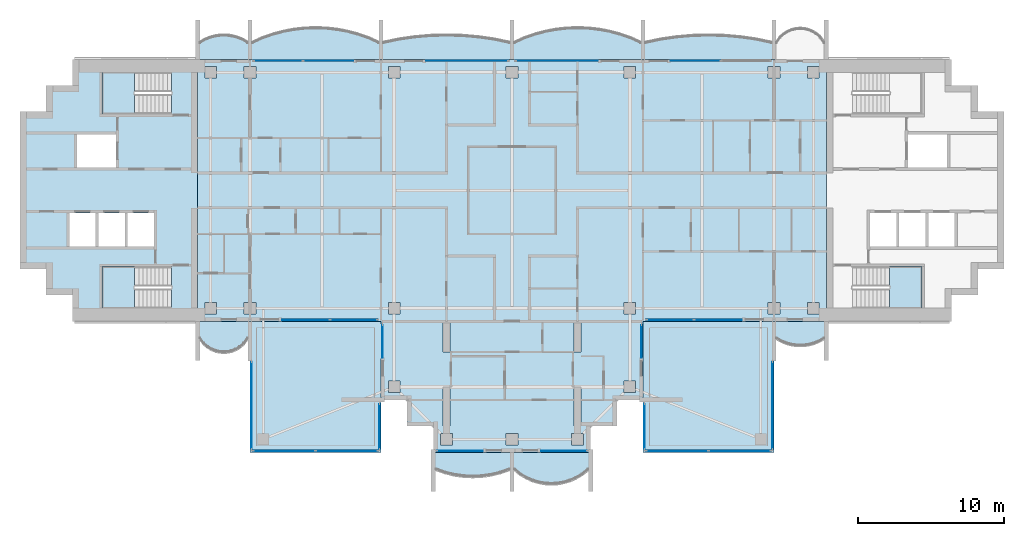
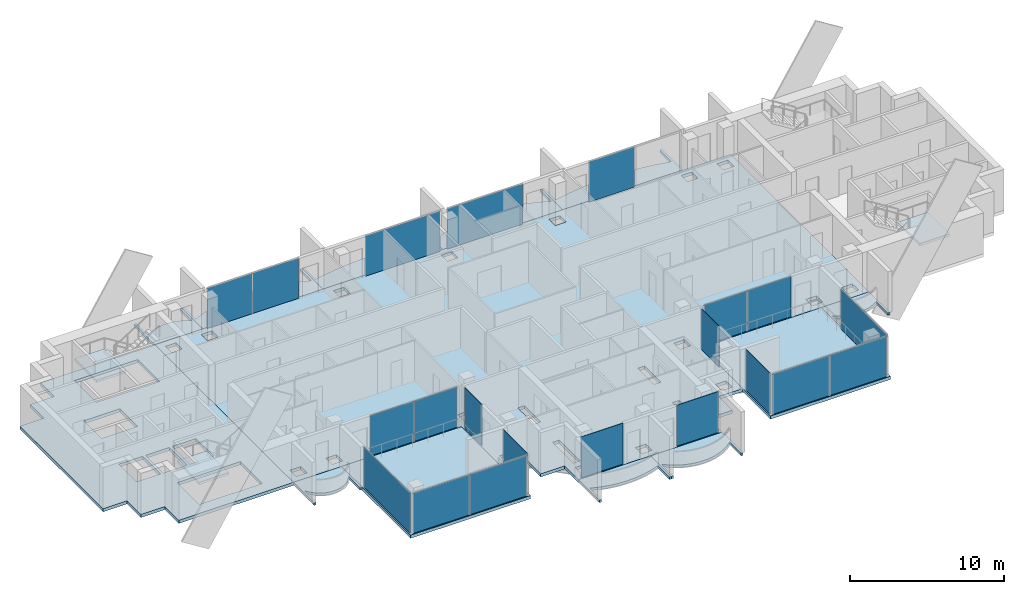
# One storey, part 5 of 16: 21 plates, 16 slabs, 19 elements without a shape of their own.
"""IFC4 building model written with IfcOpenShell, lengths in metres."""

from ifc_helpers import new_model, si_unit, direction, frame, origin, origin_2d, place, context, subcontext, project, spatial, polyline, rectangle, outline, extrude, material, layer, layer_set, type_object, element, aggregate, save


model = new_model("IFC4")

# Units and contexts
model_context = context("Model", 3, precision=1e-05, world=origin(), true_north=direction((0.0, 1.0)))
body_context = subcontext(model_context, "Body", "Model", "MODEL_VIEW")
ifc_project = project(units=[si_unit("LENGTHUNIT", "METRE"), si_unit("AREAUNIT", "SQUARE_METRE"), si_unit("VOLUMEUNIT", "CUBIC_METRE"), si_unit("PLANEANGLEUNIT", "RADIAN"), si_unit("MASSUNIT", "GRAM", prefix="KILO")], contexts=[model_context])

# Site, building, storey
site_placement = place(None, origin())
site = spatial("IfcSite", under=ifc_project, at=site_placement, CompositionType="ELEMENT")
building_placement = place(site_placement, origin())
building = spatial("IfcBuilding", under=site, at=building_placement, Name="Perihelion Cross Residences", CompositionType="ELEMENT")
storey_placement = place(building_placement, frame((0.0, 0.0, 271.0)))
storey = spatial("IfcBuildingStorey", under=building, at=storey_placement, Name="L69", CompositionType="ELEMENT", Elevation=271.0)

# Slabs
ifc_material_1 = material(Name="Concrete C40/50", Category="concrete")
ifc_layer_1 = layer(ifc_material_1, 0.199951171875)
ifc_layer_set_1 = layer_set([ifc_layer_1], Name="Balcony slab 200")
slab_type_1 = type_object("IfcSlabType", Name="Balcony slab 200", PredefinedType="FLOOR", material=ifc_layer_set_1)
slab_1_placement = place(storey_placement, frame((0.0, 0.0, -0.199951171875)))
element("IfcSlab", 1, at=slab_1_placement, inside=storey, type_object=slab_type_1, Name="Slab BK1 L69 east side north bay 2 balcony", PredefinedType="FLOOR", context=body_context, shape_type="SweptSolid", body=[
    extrude(outline(polyline([(18.0, 9.0), (9.0, 9.0), (9.0, 11.699951171875), (9.14990234375, 11.699951171875), (9.14990234375, 10.199951171875), (10.237548828125, 10.42041015625), (11.324951171875, 10.576171875), (12.41259765625, 10.669189453125), (13.5, 10.699951171875), (14.58740234375, 10.669189453125), (15.675048828125, 10.576171875), (16.762451171875, 10.42041015625), (17.85009765625, 10.199951171875), (17.85009765625, 11.699951171875), (18.0, 11.699951171875), (18.0, 9.0)])), origin(), (0.0, 0.0, 1.0), 0.199951171875),
])
slab_2_placement = place(storey_placement, frame((0.0, 0.0, -0.199951171875)))
element("IfcSlab", 2, at=slab_2_placement, inside=storey, type_object=slab_type_1, Name="Slab BK1 L69 north side east bay 1 balcony", PredefinedType="FLOOR", context=body_context, shape_type="SweptSolid", body=[
    extrude(outline(polyline([(9.0, 9.0), (0.0, 9.0), (0.0, 11.699951171875), (0.14990234375, 11.699951171875), (0.14990234375, 10.199951171875), (0.875, 10.51708984375), (1.60009765625, 10.7685546875), (2.324951171875, 10.959716796875), (3.050048828125, 11.093994140625), (3.77490234375, 11.173583984375), (4.5, 11.199951171875), (5.22509765625, 11.173583984375), (5.949951171875, 11.093994140625), (6.675048828125, 10.959716796875), (7.39990234375, 10.7685546875), (8.125, 10.51708984375), (8.85009765625, 10.199951171875), (8.85009765625, 11.699951171875), (9.0, 11.699951171875), (9.0, 9.0)])), origin(), (0.0, 0.0, 1.0), 0.199951171875),
])
slab_3_placement = place(storey_placement, frame((0.0, 0.0, -0.199951171875)))
element("IfcSlab", 3, at=slab_3_placement, inside=storey, type_object=slab_type_1, Name="Slab BK1 L69 north side east bay 2 balcony", PredefinedType="FLOOR", context=body_context, shape_type="SweptSolid", body=[
    extrude(outline(polyline([(0.0, 9.0), (-9.0, 9.0), (-9.0, 11.699951171875), (-8.85009765625, 11.699951171875), (-8.85009765625, 10.199951171875), (-7.762451171875, 10.42041015625), (-6.675048828125, 10.576171875), (-5.58740234375, 10.669189453125), (-4.5, 10.699951171875), (-3.41259765625, 10.669189453125), (-2.324951171875, 10.576171875), (-1.237548828125, 10.42041015625), (-0.14990234375, 10.199951171875), (-0.14990234375, 11.699951171875), (0.0, 11.699951171875), (0.0, 9.0)])), origin(), (0.0, 0.0, 1.0), 0.199951171875),
])
slab_4_placement = place(storey_placement, frame((0.0, 0.0, -0.199951171875)))
element("IfcSlab", 4, at=slab_4_placement, inside=storey, type_object=slab_type_1, Name="Slab BK1 L69 west side north bay 1 balcony", PredefinedType="FLOOR", context=body_context, shape_type="SweptSolid", body=[
    extrude(outline(polyline([(-9.0, 9.0), (-18.0, 9.0), (-18.0, 11.699951171875), (-17.85009765625, 11.699951171875), (-17.85009765625, 10.199951171875), (-17.125, 10.51708984375), (-16.39990234375, 10.7685546875), (-15.675048828125, 10.959716796875), (-14.949951171875, 11.093994140625), (-14.22509765625, 11.173583984375), (-13.5, 11.199951171875), (-12.77490234375, 11.173583984375), (-12.050048828125, 11.093994140625), (-11.324951171875, 10.959716796875), (-10.60009765625, 10.7685546875), (-9.875, 10.51708984375), (-9.14990234375, 10.199951171875), (-9.14990234375, 11.699951171875), (-9.0, 11.699951171875), (-9.0, 9.0)])), origin(), (0.0, 0.0, 1.0), 0.199951171875),
])
slab_5_placement = place(storey_placement, frame((0.0, 0.0, -0.199951171875)))
element("IfcSlab", 5, at=slab_5_placement, inside=storey, type_object=slab_type_1, Name="Slab BK1 L69 west side north bay 2 balcony", PredefinedType="FLOOR", context=body_context, shape_type="SweptSolid", body=[
    extrude(outline(polyline([(-18.0, 9.0), (-21.60009765625, 9.0), (-21.60009765625, 11.699951171875), (-21.449951171875, 11.699951171875), (-21.449951171875, 10.199951171875), (-21.083251953125, 10.40869140625), (-20.716552734375, 10.55517578125), (-20.35009765625, 10.648681640625), (-19.9833984375, 10.6943359375), (-19.61669921875, 10.6943359375), (-19.25, 10.648681640625), (-18.88330078125, 10.55517578125), (-18.5166015625, 10.40869140625), (-18.14990234375, 10.199951171875), (-18.14990234375, 11.699951171875), (-18.0, 11.699951171875), (-18.0, 9.0)])), origin(), (0.0, 0.0, 1.0), 0.199951171875),
])
slab_6_placement = place(storey_placement, frame((0.0, 0.0, -0.199951171875)))
element("IfcSlab", 6, at=slab_6_placement, inside=storey, type_object=slab_type_1, Name="Slab BK1 L69 west side south bay 1 balcony", PredefinedType="FLOOR", context=body_context, shape_type="SweptSolid", body=[
    extrude(outline(polyline([(-21.60009765625, -9.0), (-18.0, -9.0), (-18.0, -11.699951171875), (-18.14990234375, -11.699951171875), (-18.14990234375, -10.199951171875), (-18.425048828125, -10.568603515625), (-18.699951171875, -10.806396484375), (-18.97509765625, -10.96875), (-19.25, -11.07568359375), (-19.52490234375, -11.136962890625), (-19.800048828125, -11.156982421875), (-20.074951171875, -11.136962890625), (-20.35009765625, -11.07568359375), (-20.625, -10.96875), (-20.89990234375, -10.806396484375), (-21.175048828125, -10.568603515625), (-21.449951171875, -10.199951171875), (-21.449951171875, -11.699951171875), (-21.60009765625, -11.699951171875), (-21.60009765625, -9.0)])), origin(), (0.0, 0.0, 1.0), 0.199951171875),
])
slab_7_placement = place(storey_placement, frame((0.0, 0.0, -0.199951171875)))
element("IfcSlab", 7, at=slab_7_placement, inside=storey, type_object=slab_type_1, Name="Slab BK1 L69 south tip south bay 1 balcony", PredefinedType="FLOOR", context=body_context, shape_type="SweptSolid", body=[
    extrude(outline(polyline([(-5.39990234375, -18.0), (0.0, -18.0), (0.0, -20.699951171875), (-0.14990234375, -20.699951171875), (-0.14990234375, -19.199951171875), (-0.78759765625, -19.423583984375), (-1.425048828125, -19.57861328125), (-2.0625, -19.669921875), (-2.699951171875, -19.699951171875), (-3.33740234375, -19.669921875), (-3.97509765625, -19.57861328125), (-4.612548828125, -19.423583984375), (-5.25, -19.199951171875), (-5.25, -20.699951171875), (-5.39990234375, -20.699951171875), (-5.39990234375, -18.0)])), origin(), (0.0, 0.0, 1.0), 0.199951171875),
])
slab_8_placement = place(storey_placement, frame((0.0, 0.0, -0.199951171875)))
element("IfcSlab", 8, at=slab_8_placement, inside=storey, type_object=slab_type_1, Name="Slab BK1 L69 south tip south bay 2 balcony", PredefinedType="FLOOR", context=body_context, shape_type="SweptSolid", body=[
    extrude(outline(polyline([(0.0, -18.0), (5.39990234375, -18.0), (5.39990234375, -20.699951171875), (5.25, -20.699951171875), (5.25, -19.199951171875), (4.824951171875, -19.5400390625), (4.39990234375, -19.792724609375), (3.97509765625, -19.9765625), (3.550048828125, -20.1025390625), (3.125, -20.17578125), (2.699951171875, -20.199951171875), (2.27490234375, -20.17578125), (1.85009765625, -20.1025390625), (1.425048828125, -19.9765625), (1.0, -19.792724609375), (0.574951171875, -19.5400390625), (0.14990234375, -19.199951171875), (0.14990234375, -20.699951171875), (0.0, -20.699951171875), (0.0, -18.0)])), origin(), (0.0, 0.0, 1.0), 0.199951171875),
])
slab_9_placement = place(storey_placement, frame((0.0, 0.0, -0.199951171875)))
element("IfcSlab", 9, at=slab_9_placement, inside=storey, type_object=slab_type_1, Name="Slab BK1 L69 east side south bay 2 balcony", PredefinedType="FLOOR", context=body_context, shape_type="SweptSolid", body=[
    extrude(outline(polyline([(18.0, -9.0), (21.60009765625, -9.0), (21.60009765625, -11.699951171875), (21.449951171875, -11.699951171875), (21.449951171875, -10.199951171875), (21.083251953125, -10.40869140625), (20.716552734375, -10.55517578125), (20.35009765625, -10.648681640625), (19.9833984375, -10.6943359375), (19.61669921875, -10.6943359375), (19.25, -10.648681640625), (18.88330078125, -10.55517578125), (18.5166015625, -10.40869140625), (18.14990234375, -10.199951171875), (18.14990234375, -11.699951171875), (18.0, -11.699951171875), (18.0, -9.0)])), origin(), (0.0, 0.0, 1.0), 0.199951171875),
])

# Curtain wall, plate
ifc_material_2 = material(Name="Bronze anodised aluminium, tinted glazing", Category="aluminium")
curtain_wall_type_1 = type_object("IfcCurtainWallType", Name="CW1", PredefinedType="NOTDEFINED", material=ifc_material_2)
curtain_wall_1_placement = place(storey_placement, origin())
curtain_wall_1 = element("IfcCurtainWall", 10, at=curtain_wall_1_placement, inside=storey, type_object=curtain_wall_type_1, Name="Curtain wall CW1 L69 east side north bay 2", PredefinedType="NOTDEFINED")
ifc_material_3 = material(Name="Tinted laminated glass", Category="glass")
ifc_layer_2 = layer(ifc_material_3, 0.028076171875)
ifc_layer_set_2 = layer_set([ifc_layer_2], Name="CW1 panel")
plate_type_1 = type_object("IfcPlateType", Name="CW1 panel", PredefinedType="CURTAIN_PANEL", material=ifc_layer_set_2)
plate_1_placement = place(storey_placement, frame((12.610107421875, 8.89990234375, 0.0), z_axis=(0.0, 0.0, 1.0), x_axis=(-1.0, 0.0, 0.0)))
plate_1 = element("IfcPlate", 11, at=plate_1_placement, type_object=plate_type_1, Name="CW1 panel 2", PredefinedType="CURTAIN_PANEL", context=body_context, shape_type="SweptSolid", body=[
    extrude(rectangle(XDim=3.419921875, YDim=0.028076171875, at=origin_2d()), origin(), (0.0, 0.0, 1.0), 3.18994140625),
])
aggregate(curtain_wall_1, [plate_1])

curtain_wall_2_placement = place(storey_placement, origin())
curtain_wall_2 = element("IfcCurtainWall", 12, at=curtain_wall_2_placement, inside=storey, type_object=curtain_wall_type_1, Name="Curtain wall CW1 L69 north side east bay 1", PredefinedType="NOTDEFINED")
plate_2_placement = place(storey_placement, frame((3.080078125, 8.89990234375, 0.0), z_axis=(0.0, 0.0, 1.0), x_axis=(-1.0, 0.0, 0.0)))
plate_2 = element("IfcPlate", 13, at=plate_2_placement, type_object=plate_type_1, Name="CW1 panel 1", PredefinedType="CURTAIN_PANEL", context=body_context, shape_type="SweptSolid", body=[
    extrude(rectangle(XDim=5.639892578125, YDim=0.028076171875, at=origin_2d()), origin(), (0.0, 0.0, 1.0), 3.18994140625),
])
aggregate(curtain_wall_2, [plate_2])

curtain_wall_3_placement = place(storey_placement, origin())
curtain_wall_3 = element("IfcCurtainWall", 14, at=curtain_wall_3_placement, inside=storey, type_object=curtain_wall_type_1, Name="Curtain wall CW1 L69 north side east bay 2", PredefinedType="NOTDEFINED")
plate_3_placement = place(storey_placement, frame((-3.080078125, 8.89990234375, 0.0), z_axis=(0.0, 0.0, 1.0), x_axis=(-1.0, 0.0, 0.0)))
plate_3 = element("IfcPlate", 15, at=plate_3_placement, type_object=plate_type_1, Name="CW1 panel 1", PredefinedType="CURTAIN_PANEL", context=body_context, shape_type="SweptSolid", body=[
    extrude(rectangle(XDim=5.639892578125, YDim=0.028076171875, at=origin_2d()), origin(), (0.0, 0.0, 1.0), 3.18994140625),
])
aggregate(curtain_wall_3, [plate_3])

# Curtain wall, plates
curtain_wall_4_placement = place(storey_placement, origin())
curtain_wall_4 = element("IfcCurtainWall", 16, at=curtain_wall_4_placement, inside=storey, type_object=curtain_wall_type_1, Name="Curtain wall CW1 L69 west side north bay 1", PredefinedType="NOTDEFINED")
plate_4_placement = place(storey_placement, frame((-12.610107421875, 8.89990234375, 0.0), z_axis=(0.0, 0.0, 1.0), x_axis=(-1.0, 0.0, 0.0)))
plate_4 = element("IfcPlate", 17, at=plate_4_placement, type_object=plate_type_1, Name="CW1 panel 1", PredefinedType="CURTAIN_PANEL", context=body_context, shape_type="SweptSolid", body=[
    extrude(rectangle(XDim=3.419921875, YDim=0.028076171875, at=origin_2d()), origin(), (0.0, 0.0, 1.0), 3.18994140625),
])
plate_5_placement = place(storey_placement, frame((-16.06005859375, 8.89990234375, 0.0), z_axis=(0.0, 0.0, 1.0), x_axis=(-1.0, 0.0, 0.0)))
plate_5 = element("IfcPlate", 18, at=plate_5_placement, type_object=plate_type_1, Name="CW1 panel 2", PredefinedType="CURTAIN_PANEL", context=body_context, shape_type="SweptSolid", body=[
    extrude(rectangle(XDim=3.360107421875, YDim=0.028076171875, at=origin_2d()), origin(), (0.0, 0.0, 1.0), 3.18994140625),
])
aggregate(curtain_wall_4, [plate_4, plate_5])

curtain_wall_5_placement = place(storey_placement, origin())
curtain_wall_5 = element("IfcCurtainWall", 19, at=curtain_wall_5_placement, inside=storey, type_object=curtain_wall_type_1, Name="Curtain wall CW1 L69 west side south bay 2", PredefinedType="NOTDEFINED")
plate_6_placement = place(storey_placement, frame((-14.1650390625, -8.89990234375, 0.0), z_axis=(0.0, 0.0, 1.0), x_axis=(1.0, 0.0, 0.0)))
plate_6 = element("IfcPlate", 20, at=plate_6_placement, type_object=plate_type_1, Name="CW1 panel 1", PredefinedType="CURTAIN_PANEL", context=body_context, shape_type="SweptSolid", body=[
    extrude(rectangle(XDim=3.27001953125, YDim=0.028076171875, at=origin_2d()), origin(), (0.0, 0.0, 1.0), 3.18994140625),
])
plate_7_placement = place(storey_placement, frame((-10.864990234375, -8.89990234375, 0.0), z_axis=(0.0, 0.0, 1.0), x_axis=(1.0, 0.0, 0.0)))
plate_7 = element("IfcPlate", 21, at=plate_7_placement, type_object=plate_type_1, Name="CW1 panel 2", PredefinedType="CURTAIN_PANEL", context=body_context, shape_type="SweptSolid", body=[
    extrude(rectangle(XDim=3.2099609375, YDim=0.028076171875, at=origin_2d()), origin(), (0.0, 0.0, 1.0), 3.18994140625),
])
aggregate(curtain_wall_5, [plate_6, plate_7])

# Curtain wall, plate
curtain_wall_6_placement = place(storey_placement, origin())
curtain_wall_6 = element("IfcCurtainWall", 22, at=curtain_wall_6_placement, inside=storey, type_object=curtain_wall_type_1, Name="Curtain wall CW1 L69 south side west bay 1", PredefinedType="NOTDEFINED")
plate_8_placement = place(storey_placement, frame((-8.89990234375, -10.3798828125, 0.0), z_axis=(0.0, 0.0, 1.0), x_axis=(0.0, -1.0, 0.0)))
plate_8 = element("IfcPlate", 23, at=plate_8_placement, type_object=plate_type_1, Name="CW1 panel 1", PredefinedType="CURTAIN_PANEL", context=body_context, shape_type="SweptSolid", body=[
    extrude(rectangle(XDim=2.239990234375, YDim=0.028076171875, at=origin_2d()), origin(), (0.0, 0.0, 1.0), 3.25),
])
aggregate(curtain_wall_6, [plate_8])

curtain_wall_7_placement = place(storey_placement, origin())
curtain_wall_7 = element("IfcCurtainWall", 24, at=curtain_wall_7_placement, inside=storey, type_object=curtain_wall_type_1, Name="Curtain wall CW1 L69 south tip south bay 1", PredefinedType="NOTDEFINED")
plate_9_placement = place(storey_placement, frame((-3.570068359375, -17.89990234375, 0.0), z_axis=(0.0, 0.0, 1.0), x_axis=(1.0, 0.0, 0.0)))
plate_9 = element("IfcPlate", 25, at=plate_9_placement, type_object=plate_type_1, Name="CW1 panel 1", PredefinedType="CURTAIN_PANEL", context=body_context, shape_type="SweptSolid", body=[
    extrude(rectangle(XDim=3.139892578125, YDim=0.028076171875, at=origin_2d()), origin(), (0.0, 0.0, 1.0), 3.25),
])
aggregate(curtain_wall_7, [plate_9])

curtain_wall_8_placement = place(storey_placement, origin())
curtain_wall_8 = element("IfcCurtainWall", 26, at=curtain_wall_8_placement, inside=storey, type_object=curtain_wall_type_1, Name="Curtain wall CW1 L69 south tip south bay 2", PredefinedType="NOTDEFINED")
plate_10_placement = place(storey_placement, frame((3.570068359375, -17.89990234375, 0.0), z_axis=(0.0, 0.0, 1.0), x_axis=(1.0, 0.0, 0.0)))
plate_10 = element("IfcPlate", 27, at=plate_10_placement, type_object=plate_type_1, Name="CW1 panel 1", PredefinedType="CURTAIN_PANEL", context=body_context, shape_type="SweptSolid", body=[
    extrude(rectangle(XDim=3.139892578125, YDim=0.028076171875, at=origin_2d()), origin(), (0.0, 0.0, 1.0), 3.25),
])
aggregate(curtain_wall_8, [plate_10])

curtain_wall_9_placement = place(storey_placement, origin())
curtain_wall_9 = element("IfcCurtainWall", 28, at=curtain_wall_9_placement, inside=storey, type_object=curtain_wall_type_1, Name="Curtain wall CW1 L69 south side east bay 1", PredefinedType="NOTDEFINED")
plate_11_placement = place(storey_placement, frame((8.89990234375, -10.3798828125, 0.0), z_axis=(0.0, 0.0, 1.0), x_axis=(0.0, 1.0, 0.0)))
plate_11 = element("IfcPlate", 29, at=plate_11_placement, type_object=plate_type_1, Name="CW1 panel 1", PredefinedType="CURTAIN_PANEL", context=body_context, shape_type="SweptSolid", body=[
    extrude(rectangle(XDim=2.239990234375, YDim=0.028076171875, at=origin_2d()), origin(), (0.0, 0.0, 1.0), 3.25),
])
aggregate(curtain_wall_9, [plate_11])

# Curtain wall, plates
curtain_wall_10_placement = place(storey_placement, origin())
curtain_wall_10 = element("IfcCurtainWall", 30, at=curtain_wall_10_placement, inside=storey, type_object=curtain_wall_type_1, Name="Curtain wall CW1 L69 east side south bay 1", PredefinedType="NOTDEFINED")
plate_12_placement = place(storey_placement, frame((10.864990234375, -8.89990234375, 0.0), z_axis=(0.0, 0.0, 1.0), x_axis=(1.0, 0.0, 0.0)))
plate_12 = element("IfcPlate", 31, at=plate_12_placement, type_object=plate_type_1, Name="CW1 panel 1", PredefinedType="CURTAIN_PANEL", context=body_context, shape_type="SweptSolid", body=[
    extrude(rectangle(XDim=3.2099609375, YDim=0.028076171875, at=origin_2d()), origin(), (0.0, 0.0, 1.0), 3.18994140625),
])
plate_13_placement = place(storey_placement, frame((14.1650390625, -8.89990234375, 0.0), z_axis=(0.0, 0.0, 1.0), x_axis=(1.0, 0.0, 0.0)))
plate_13 = element("IfcPlate", 32, at=plate_13_placement, type_object=plate_type_1, Name="CW1 panel 2", PredefinedType="CURTAIN_PANEL", context=body_context, shape_type="SweptSolid", body=[
    extrude(rectangle(XDim=3.27001953125, YDim=0.028076171875, at=origin_2d()), origin(), (0.0, 0.0, 1.0), 3.18994140625),
])
aggregate(curtain_wall_10, [plate_12, plate_13])

# Curtain wall, plate
ifc_material_4 = material(Name="Bronze anodised aluminium, tinted glazing", Category="aluminium")
curtain_wall_type_2 = type_object("IfcCurtainWallType", Name="CW4", PredefinedType="NOTDEFINED", material=ifc_material_4)
curtain_wall_11_placement = place(storey_placement, origin())
curtain_wall_11 = element("IfcCurtainWall", 33, at=curtain_wall_11_placement, inside=storey, type_object=curtain_wall_type_2, Name="Curtain wall CW4 L69 pocket south-east 1 1", PredefinedType="NOTDEFINED")
ifc_material_5 = material(Name="Tinted laminated glass", Category="glass")
ifc_layer_3 = layer(ifc_material_5, 0.030029296875)
ifc_layer_set_3 = layer_set([ifc_layer_3], Name="CW4 panel")
plate_type_2 = type_object("IfcPlateType", Name="CW4 panel", PredefinedType="CURTAIN_PANEL", material=ifc_layer_set_3)
plate_14_placement = place(storey_placement, frame((17.89990234375, -14.784912109375, 0.0), z_axis=(0.0, 0.0, 1.0), x_axis=(0.0, -1.0, 0.0)))
plate_14 = element("IfcPlate", 34, at=plate_14_placement, type_object=plate_type_2, Name="CW4 panel 1", PredefinedType="CURTAIN_PANEL", context=body_context, shape_type="SweptSolid", body=[
    extrude(rectangle(XDim=5.969970703125, YDim=0.030029296875, at=origin_2d()), origin(), (0.0, 0.0, 1.0), 3.18994140625),
])
aggregate(curtain_wall_11, [plate_14])

# Curtain wall, plates
curtain_wall_12_placement = place(storey_placement, origin())
curtain_wall_12 = element("IfcCurtainWall", 35, at=curtain_wall_12_placement, inside=storey, type_object=curtain_wall_type_2, Name="Curtain wall CW4 L69 pocket south-east 1 2", PredefinedType="NOTDEFINED")
plate_15_placement = place(storey_placement, frame((15.64990234375, -17.89990234375, 0.0), z_axis=(0.0, 0.0, 1.0), x_axis=(-1.0, 0.0, 0.0)))
plate_15 = element("IfcPlate", 36, at=plate_15_placement, type_object=plate_type_2, Name="CW4 panel 1", PredefinedType="CURTAIN_PANEL", context=body_context, shape_type="SweptSolid", body=[
    extrude(rectangle(XDim=4.239990234375, YDim=0.030029296875, at=origin_2d()), origin(), (0.0, 0.0, 1.0), 3.18994140625),
])
plate_16_placement = place(storey_placement, frame((11.35009765625, -17.89990234375, 0.0), z_axis=(0.0, 0.0, 1.0), x_axis=(-1.0, 0.0, 0.0)))
plate_16 = element("IfcPlate", 37, at=plate_16_placement, type_object=plate_type_2, Name="CW4 panel 2", PredefinedType="CURTAIN_PANEL", context=body_context, shape_type="SweptSolid", body=[
    extrude(rectangle(XDim=4.239990234375, YDim=0.030029296875, at=origin_2d()), origin(), (0.0, 0.0, 1.0), 3.18994140625),
])
aggregate(curtain_wall_12, [plate_15, plate_16])

# Curtain wall, plate
curtain_wall_13_placement = place(storey_placement, origin())
curtain_wall_13 = element("IfcCurtainWall", 38, at=curtain_wall_13_placement, inside=storey, type_object=curtain_wall_type_2, Name="Curtain wall CW4 L69 pocket south-east 1 3", PredefinedType="NOTDEFINED")
plate_17_placement = place(storey_placement, frame((9.10009765625, -16.2294921875, 0.0), z_axis=(0.0, 0.0, 1.0), x_axis=(0.0, 1.0, 0.0)))
plate_17 = element("IfcPlate", 39, at=plate_17_placement, type_object=plate_type_2, Name="CW4 panel 1", PredefinedType="CURTAIN_PANEL", context=body_context, shape_type="SweptSolid", body=[
    extrude(rectangle(XDim=3.0810546875, YDim=0.030029296875, at=origin_2d()), origin(), (0.0, 0.0, 1.0), 3.25),
])
aggregate(curtain_wall_13, [plate_17])

curtain_wall_14_placement = place(storey_placement, origin())
curtain_wall_14 = element("IfcCurtainWall", 40, at=curtain_wall_14_placement, inside=storey, type_object=curtain_wall_type_2, Name="Curtain wall CW4 L69 pocket south-west 1 1", PredefinedType="NOTDEFINED")
plate_18_placement = place(storey_placement, frame((-9.10009765625, -16.2294921875, 0.0), z_axis=(0.0, 0.0, 1.0), x_axis=(0.0, -1.0, 0.0)))
plate_18 = element("IfcPlate", 41, at=plate_18_placement, type_object=plate_type_2, Name="CW4 panel 1", PredefinedType="CURTAIN_PANEL", context=body_context, shape_type="SweptSolid", body=[
    extrude(rectangle(XDim=3.0810546875, YDim=0.030029296875, at=origin_2d()), origin(), (0.0, 0.0, 1.0), 3.25),
])
aggregate(curtain_wall_14, [plate_18])

# Curtain wall, plates
curtain_wall_15_placement = place(storey_placement, origin())
curtain_wall_15 = element("IfcCurtainWall", 42, at=curtain_wall_15_placement, inside=storey, type_object=curtain_wall_type_2, Name="Curtain wall CW4 L69 pocket south-west 1 2", PredefinedType="NOTDEFINED")
plate_19_placement = place(storey_placement, frame((-11.35009765625, -17.89990234375, 0.0), z_axis=(0.0, 0.0, 1.0), x_axis=(-1.0, 0.0, 0.0)))
plate_19 = element("IfcPlate", 43, at=plate_19_placement, type_object=plate_type_2, Name="CW4 panel 1", PredefinedType="CURTAIN_PANEL", context=body_context, shape_type="SweptSolid", body=[
    extrude(rectangle(XDim=4.239990234375, YDim=0.030029296875, at=origin_2d()), origin(), (0.0, 0.0, 1.0), 3.18994140625),
])
plate_20_placement = place(storey_placement, frame((-15.64990234375, -17.89990234375, 0.0), z_axis=(0.0, 0.0, 1.0), x_axis=(-1.0, 0.0, 0.0)))
plate_20 = element("IfcPlate", 44, at=plate_20_placement, type_object=plate_type_2, Name="CW4 panel 2", PredefinedType="CURTAIN_PANEL", context=body_context, shape_type="SweptSolid", body=[
    extrude(rectangle(XDim=4.239990234375, YDim=0.030029296875, at=origin_2d()), origin(), (0.0, 0.0, 1.0), 3.18994140625),
])
aggregate(curtain_wall_15, [plate_19, plate_20])

# Curtain wall, plate
curtain_wall_16_placement = place(storey_placement, origin())
curtain_wall_16 = element("IfcCurtainWall", 45, at=curtain_wall_16_placement, inside=storey, type_object=curtain_wall_type_2, Name="Curtain wall CW4 L69 pocket south-west 1 3", PredefinedType="NOTDEFINED")
plate_21_placement = place(storey_placement, frame((-17.89990234375, -14.784912109375, 0.0), z_axis=(0.0, 0.0, 1.0), x_axis=(0.0, 1.0, 0.0)))
plate_21 = element("IfcPlate", 46, at=plate_21_placement, type_object=plate_type_2, Name="CW4 panel 1", PredefinedType="CURTAIN_PANEL", context=body_context, shape_type="SweptSolid", body=[
    extrude(rectangle(XDim=5.969970703125, YDim=0.030029296875, at=origin_2d()), origin(), (0.0, 0.0, 1.0), 3.18994140625),
])
aggregate(curtain_wall_16, [plate_21])

# Slab
ifc_material_6 = material(Name="Concrete C40/50", Category="concrete")
ifc_layer_4 = layer(ifc_material_6, 0.25)
ifc_layer_set_4 = layer_set([ifc_layer_4], Name="Core floor slab 250")
slab_type_2 = type_object("IfcSlabType", Name="Core floor slab 250", PredefinedType="FLOOR", material=ifc_layer_set_4)
slab_10_placement = place(storey_placement, frame((0.0, 0.0, -0.25)))
element("IfcSlab", 47, at=slab_10_placement, inside=storey, type_object=slab_type_2, Name="West core floor slab", PredefinedType="FLOOR", context=body_context, shape_type="SweptSolid", body=[
    extrude(outline(polyline([(-30.199951171875, 7.199951171875), (-32.0, 7.199951171875), (-32.0, 5.39990234375), (-33.800048828125, 5.39990234375), (-33.800048828125, -5.39990234375), (-32.0, -5.39990234375), (-32.0, -7.199951171875), (-30.199951171875, -7.199951171875), (-30.199951171875, -9.0), (-21.60009765625, -9.0), (-21.60009765625, 9.0), (-30.199951171875, 9.0), (-30.199951171875, 7.199951171875)]), holes=[polyline([(-28.14990234375, -8.10009765625), (-28.14990234375, -5.25), (-23.405029296875, -5.25), (-23.405029296875, -8.10009765625), (-28.14990234375, -8.10009765625)]), polyline([(-24.60009765625, -1.550048828125), (-24.60009765625, -3.85009765625), (-26.39990234375, -3.85009765625), (-26.39990234375, -1.550048828125), (-24.60009765625, -1.550048828125)]), polyline([(-26.60009765625, -1.550048828125), (-26.60009765625, -3.85009765625), (-28.39990234375, -3.85009765625), (-28.39990234375, -1.550048828125), (-26.60009765625, -1.550048828125)]), polyline([(-28.60009765625, -3.85009765625), (-30.39990234375, -3.85009765625), (-30.39990234375, -1.550048828125), (-28.60009765625, -1.550048828125), (-28.60009765625, -3.85009765625)]), polyline([(-27.199951171875, 3.85009765625), (-27.199951171875, 1.550048828125), (-29.89990234375, 1.550048828125), (-29.89990234375, 3.85009765625), (-27.199951171875, 3.85009765625)]), polyline([(-23.405029296875, 5.25), (-28.14990234375, 5.25), (-28.14990234375, 8.10009765625), (-23.405029296875, 8.10009765625), (-23.405029296875, 5.25)])]), origin(), (0.0, 0.0, 1.0), 0.25),
])

# Stair, slab
ifc_material_7 = material(Name="Concrete C40/50", Category="concrete")
stair_type = type_object("IfcStairType", Name="Exit stair, half-turn", PredefinedType="HALF_TURN_STAIR", material=ifc_material_7)
stair_1_placement = place(storey_placement, origin())
stair_1 = element("IfcStair", 48, at=stair_1_placement, inside=storey, type_object=stair_type, Name="L69 East core exit stair 2", PredefinedType="HALF_TURN_STAIR")
ifc_material_8 = material(Name="Concrete C40/50", Category="concrete")
ifc_layer_5 = layer(ifc_material_8, 0.199951171875)
ifc_layer_set_5 = layer_set([ifc_layer_5], Name="Exit stair landing 200")
slab_type_3 = type_object("IfcSlabType", Name="Exit stair landing 200", PredefinedType="LANDING", material=ifc_layer_set_5)
slab_11_placement = place(storey_placement, frame((0.0, 0.0, 1.550048828125)))
slab_11 = element("IfcSlab", 49, at=slab_11_placement, type_object=slab_type_3, Name="ST-E2 landing 1", PredefinedType="LANDING", context=body_context, shape_type="SweptSolid", body=[
    extrude(outline(polyline([(25.919921875, -8.10009765625), (28.14990234375, -8.10009765625), (28.14990234375, -5.25), (25.919921875, -5.25), (25.919921875, -8.10009765625)])), origin(), (0.0, 0.0, 1.0), 0.199951171875),
])
aggregate(stair_1, [slab_11])

stair_2_placement = place(storey_placement, origin())
stair_2 = element("IfcStair", 50, at=stair_2_placement, inside=storey, type_object=stair_type, Name="L69 West core exit stair 1", PredefinedType="HALF_TURN_STAIR")
slab_12_placement = place(storey_placement, frame((0.0, 0.0, 1.550048828125)))
slab_12 = element("IfcSlab", 51, at=slab_12_placement, type_object=slab_type_3, Name="ST-W1 landing 1", PredefinedType="LANDING", context=body_context, shape_type="SweptSolid", body=[
    extrude(outline(polyline([(-25.919921875, 8.10009765625), (-28.14990234375, 8.10009765625), (-28.14990234375, 5.25), (-25.919921875, 5.25), (-25.919921875, 8.10009765625)])), origin(), (0.0, 0.0, 1.0), 0.199951171875),
])
aggregate(stair_2, [slab_12])

stair_3_placement = place(storey_placement, origin())
stair_3 = element("IfcStair", 52, at=stair_3_placement, inside=storey, type_object=stair_type, Name="L69 West core exit stair 2", PredefinedType="HALF_TURN_STAIR")
slab_13_placement = place(storey_placement, frame((0.0, 0.0, 1.550048828125)))
slab_13 = element("IfcSlab", 53, at=slab_13_placement, type_object=slab_type_3, Name="ST-W2 landing 1", PredefinedType="LANDING", context=body_context, shape_type="SweptSolid", body=[
    extrude(outline(polyline([(-25.919921875, -5.25), (-28.14990234375, -5.25), (-28.14990234375, -8.10009765625), (-25.919921875, -8.10009765625), (-25.919921875, -5.25)])), origin(), (0.0, 0.0, 1.0), 0.199951171875),
])
aggregate(stair_3, [slab_13])

# Slabs
ifc_material_9 = material(Name="Concrete C50/60", Category="concrete")
ifc_layer_6 = layer(ifc_material_9, 0.25)
ifc_layer_set_6 = layer_set([ifc_layer_6], Name="Residential floor post-tensioned slab concrete C50/60")
slab_type_4 = type_object("IfcSlabType", Name="Residential floor post-tensioned slab concrete C50/60", PredefinedType="FLOOR", material=ifc_layer_set_6)
slab_14_placement = place(storey_placement, frame((0.0, 0.0, -0.25)))
element("IfcSlab", 54, at=slab_14_placement, inside=storey, type_object=slab_type_4, Name="Slab SL8 L69 1 no. 1", PredefinedType="FLOOR", context=body_context, shape_type="SweptSolid", body=[
    extrude(outline(polyline([(-9.0, 9.0), (9.0, 9.0), (21.60009765625, 9.0), (21.60009765625, -9.0), (9.0, -9.0), (9.0, -14.39990234375), (7.199951171875, -14.39990234375), (7.199951171875, -16.199951171875), (5.39990234375, -16.199951171875), (5.39990234375, -18.0), (-5.39990234375, -18.0), (-5.39990234375, -16.199951171875), (-7.199951171875, -16.199951171875), (-7.199951171875, -14.39990234375), (-9.0, -14.39990234375), (-9.0, -9.0), (-21.60009765625, -9.0), (-21.60009765625, 9.0), (-9.0, 9.0)]), holes=[polyline([(-4.10009765625, -16.699951171875), (-4.89990234375, -16.699951171875), (-4.89990234375, -17.5), (-4.10009765625, -17.5), (-4.10009765625, -16.699951171875)]), polyline([(0.39990234375, -17.5), (0.39990234375, -16.699951171875), (-0.39990234375, -16.699951171875), (-0.39990234375, -17.5), (0.39990234375, -17.5)]), polyline([(-4.25, -16.199951171875), (-4.25, -13.5), (-4.75, -13.5), (-4.75, -16.199951171875), (-4.25, -16.199951171875)]), polyline([(-7.699951171875, -13.10009765625), (-8.5, -13.10009765625), (-8.5, -13.89990234375), (-7.699951171875, -13.89990234375), (-7.699951171875, -13.10009765625)]), polyline([(-4.25, -11.10009765625), (-4.25, -9.0), (-4.75, -9.0), (-4.75, -11.10009765625), (-4.25, -11.10009765625)]), polyline([(-20.300048828125, -8.5), (-20.300048828125, -7.699951171875), (-21.10009765625, -7.699951171875), (-21.10009765625, -8.5), (-20.300048828125, -8.5)]), polyline([(-17.60009765625, -7.699951171875), (-18.39990234375, -7.699951171875), (-18.39990234375, -8.5), (-17.60009765625, -8.5), (-17.60009765625, -7.699951171875)]), polyline([(-7.699951171875, -8.5), (-7.699951171875, -7.699951171875), (-8.5, -7.699951171875), (-8.5, -8.5), (-7.699951171875, -8.5)]), polyline([(-20.300048828125, 8.5), (-21.10009765625, 8.5), (-21.10009765625, 7.699951171875), (-20.300048828125, 7.699951171875), (-20.300048828125, 8.5)]), polyline([(-17.60009765625, 7.699951171875), (-17.60009765625, 8.5), (-18.39990234375, 8.5), (-18.39990234375, 7.699951171875), (-17.60009765625, 7.699951171875)]), polyline([(-7.699951171875, 7.699951171875), (-7.699951171875, 8.5), (-8.5, 8.5), (-8.5, 7.699951171875), (-7.699951171875, 7.699951171875)]), polyline([(4.89990234375, -16.699951171875), (4.10009765625, -16.699951171875), (4.10009765625, -17.5), (4.89990234375, -17.5), (4.89990234375, -16.699951171875)]), polyline([(4.75, -16.199951171875), (4.75, -13.5), (4.25, -13.5), (4.25, -16.199951171875), (4.75, -16.199951171875)]), polyline([(8.5, -13.89990234375), (8.5, -13.10009765625), (7.699951171875, -13.10009765625), (7.699951171875, -13.89990234375), (8.5, -13.89990234375)]), polyline([(4.75, -9.0), (4.25, -9.0), (4.25, -11.10009765625), (4.75, -11.10009765625), (4.75, -9.0)]), polyline([(8.5, -8.5), (8.5, -7.699951171875), (7.699951171875, -7.699951171875), (7.699951171875, -8.5), (8.5, -8.5)]), polyline([(18.39990234375, -8.5), (18.39990234375, -7.699951171875), (17.60009765625, -7.699951171875), (17.60009765625, -8.5), (18.39990234375, -8.5)]), polyline([(21.10009765625, -7.699951171875), (20.300048828125, -7.699951171875), (20.300048828125, -8.5), (21.10009765625, -8.5), (21.10009765625, -7.699951171875)]), polyline([(0.39990234375, 7.699951171875), (0.39990234375, 8.5), (-0.39990234375, 8.5), (-0.39990234375, 7.699951171875), (0.39990234375, 7.699951171875)]), polyline([(8.5, 8.5), (7.699951171875, 8.5), (7.699951171875, 7.699951171875), (8.5, 7.699951171875), (8.5, 8.5)]), polyline([(18.39990234375, 7.699951171875), (18.39990234375, 8.5), (17.60009765625, 8.5), (17.60009765625, 7.699951171875), (18.39990234375, 7.699951171875)]), polyline([(21.10009765625, 7.699951171875), (21.10009765625, 8.5), (20.300048828125, 8.5), (20.300048828125, 7.699951171875), (21.10009765625, 7.699951171875)])]), origin(), (0.0, 0.0, 1.0), 0.25),
])
ifc_material_10 = material(Name="Concrete C40/50", Category="concrete")
ifc_layer_7 = layer(ifc_material_10, 0.25)
ifc_layer_set_7 = layer_set([ifc_layer_7], Name="Winter garden slab")
slab_type_5 = type_object("IfcSlabType", Name="Winter garden slab", PredefinedType="FLOOR", material=ifc_layer_set_7)
slab_15_placement = place(storey_placement, frame((0.0, 0.0, -0.25)))
element("IfcSlab", 55, at=slab_15_placement, inside=storey, type_object=slab_type_5, Name="Slab BK3 L69 pocket south-west", PredefinedType="FLOOR", context=body_context, shape_type="SweptSolid", body=[
    extrude(outline(polyline([(-9.0, -18.0), (-9.0, -9.0), (-18.0, -9.0), (-18.0, -18.0), (-9.0, -18.0)])), origin(), (0.0, 0.0, 1.0), 0.25),
])
slab_16_placement = place(storey_placement, frame((0.0, 0.0, -0.25)))
element("IfcSlab", 56, at=slab_16_placement, inside=storey, type_object=slab_type_5, Name="Slab BK3 L69 pocket south-east", PredefinedType="FLOOR", context=body_context, shape_type="SweptSolid", body=[
    extrude(outline(polyline([(18.0, -18.0), (18.0, -9.0), (9.0, -9.0), (9.0, -18.0), (18.0, -18.0)])), origin(), (0.0, 0.0, 1.0), 0.25),
])

save(model, "model.ifc")
